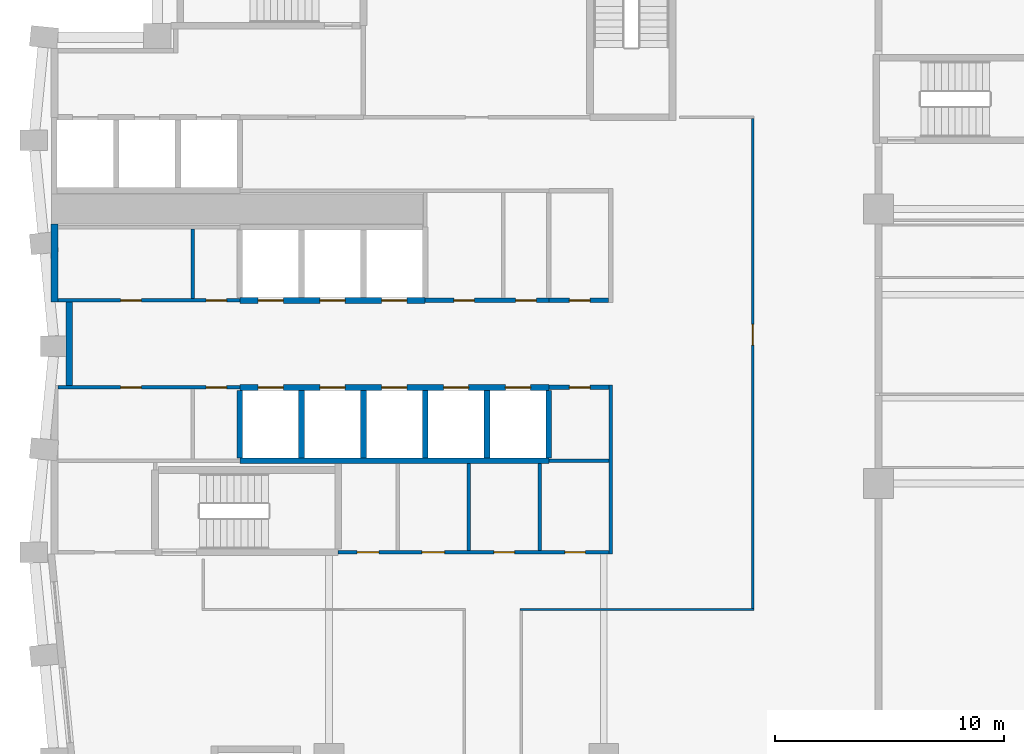
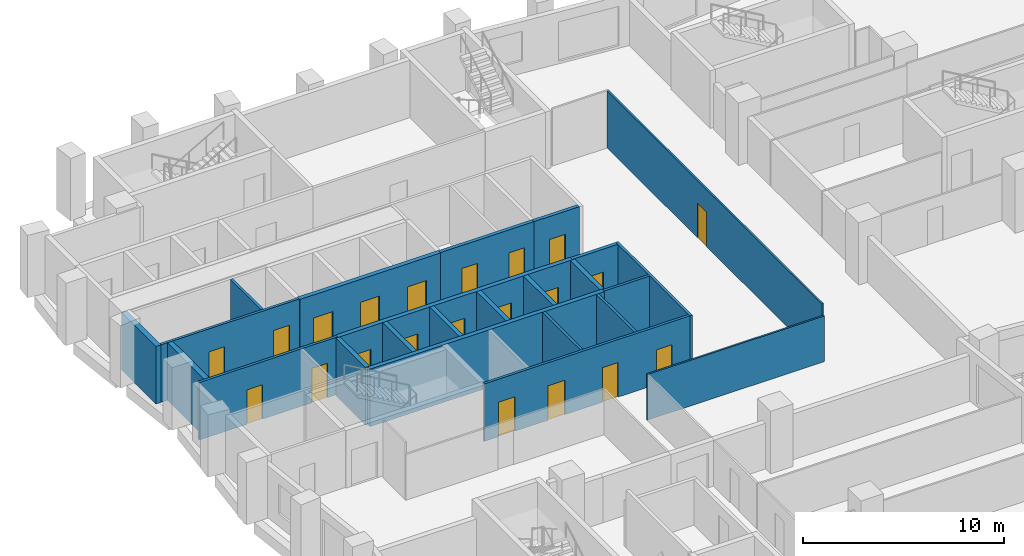
# One storey, part 5 of 11: 24 walls, 21 doors, 21 openings.
"""IFC4 building model written with IfcOpenShell, lengths in metres."""

from ifc_helpers import new_model, si_unit, direction, frame, frame_2d, origin, place, context, subcontext, project, spatial, rectangle, extrude, material, layer, layer_set, type_object, element, fill, save


model = new_model("IFC4")

# Units and contexts
model_context = context("Model", 3, precision=1e-05, world=origin(), true_north=direction((0.0, 1.0)))
body_context = subcontext(model_context, "Body", "Model", "MODEL_VIEW")
ifc_project = project(units=[si_unit("LENGTHUNIT", "METRE"), si_unit("AREAUNIT", "SQUARE_METRE"), si_unit("VOLUMEUNIT", "CUBIC_METRE"), si_unit("PLANEANGLEUNIT", "RADIAN"), si_unit("MASSUNIT", "GRAM", prefix="KILO")], contexts=[model_context])

# Site, building, storey
site_placement = place(None, origin())
site = spatial("IfcSite", under=ifc_project, at=site_placement, CompositionType="ELEMENT")
building_placement = place(site_placement, origin())
building = spatial("IfcBuilding", under=site, at=building_placement, Name="Brondeck Convention Tower", CompositionType="ELEMENT")
storey_placement = place(building_placement, frame((0.0, 0.0, 107.5)))
storey = spatial("IfcBuildingStorey", under=building, at=storey_placement, Name="L25", CompositionType="ELEMENT", Elevation=107.5)

# Wall, openings, doors
ifc_material_1 = material(Name="Concrete C70/85", Category="concrete")
ifc_layer_1 = layer(ifc_material_1, 0.14990234375)
ifc_layer_set_1 = layer_set([ifc_layer_1], Name="Core beam-seat wall 150 Concrete C70/85")
wall_type_1 = type_object("IfcWallType", Name="Core beam-seat wall 150 Concrete C70/85", PredefinedType="SHEAR", material=ifc_layer_set_1)
wall_1_placement = place(storey_placement, frame((12.39990234375, 36.0, 0.0), z_axis=(0.0, 0.0, 1.0), x_axis=(1.0, 0.0, 0.0)))
wall_1 = element("IfcWall", 1, at=wall_1_placement, inside=storey, type_object=wall_type_1, Name="L25 core wall", PredefinedType="SHEAR", context=body_context, shape_type="SweptSolid", body=[
    extrude(rectangle(XDim=11.8251953125, YDim=0.14990234375, at=frame_2d((5.91259765625, 0.0))), origin(), (0.0, 0.0, 1.0), 3.5),
])
opening_1_placement = place(wall_1_placement, frame((0.824951171875, 0.0, 0.0)))
opening_1 = element("IfcOpeningElement", 2, at=opening_1_placement, cuts=wall_1, Name="Opening C15-03", PredefinedType="OPENING", context=body_context, shape_type="SweptSolid", body=[
    extrude(rectangle(XDim=0.949951171875, YDim=2.10009765625, at=frame_2d((0.47509765625, 1.050048828125))), frame((0.0, 0.0849609375, 0.0), z_axis=(0.0, -1.0, 0.0), x_axis=(1.0, 0.0, 0.0)), (0.0, 0.0, 1.0), 0.169921875),
])
opening_2_placement = place(wall_1_placement, frame((3.64990234375, 0.0, 0.0)))
opening_2 = element("IfcOpeningElement", 3, at=opening_2_placement, cuts=wall_1, Name="Opening C15-04", PredefinedType="OPENING", context=body_context, shape_type="SweptSolid", body=[
    extrude(rectangle(XDim=1.0, YDim=2.10009765625, at=frame_2d((0.5, 1.050048828125))), frame((0.0, 0.0849609375, 0.0), z_axis=(0.0, -1.0, 0.0), x_axis=(1.0, 0.0, 0.0)), (0.0, 0.0, 1.0), 0.169921875),
])
opening_3_placement = place(wall_1_placement, frame((6.800048828125, 0.0, 0.0)))
opening_3 = element("IfcOpeningElement", 4, at=opening_3_placement, cuts=wall_1, Name="Opening C15-05", PredefinedType="OPENING", context=body_context, shape_type="SweptSolid", body=[
    extrude(rectangle(XDim=0.89990234375, YDim=2.10009765625, at=frame_2d((0.449951171875, 1.050048828125))), frame((0.0, 0.0849609375, 0.0), z_axis=(0.0, -1.0, 0.0), x_axis=(1.0, 0.0, 0.0)), (0.0, 0.0, 1.0), 0.169921875),
])
opening_4_placement = place(wall_1_placement, frame((9.89990234375, 0.0, 0.0)))
opening_4 = element("IfcOpeningElement", 5, at=opening_4_placement, cuts=wall_1, Name="Opening C15-06", PredefinedType="OPENING", context=body_context, shape_type="SweptSolid", body=[
    extrude(rectangle(XDim=0.89990234375, YDim=2.10009765625, at=frame_2d((0.449951171875, 1.050048828125))), frame((0.0, 0.0849609375, 0.0), z_axis=(0.0, -1.0, 0.0), x_axis=(1.0, 0.0, 0.0)), (0.0, 0.0, 1.0), 0.169921875),
])
ifc_material_2 = material(Name="Steel fire door", Category="steel")
door_type_1 = type_object("IfcDoorType", Name="Room door 1000x2100 EI 60", OperationType="NOTDEFINED", PredefinedType="DOOR", material=ifc_material_2)
door_1_placement = place(opening_2_placement, origin())
door_1 = element("IfcDoor", 6, at=door_1_placement, inside=storey, type_object=door_type_1, Name="L25 Room door FR-2", OperationType="SINGLE_SWING_LEFT", OverallHeight=2.10009765625, OverallWidth=1.0, PredefinedType="DOOR", context=body_context, shape_type="SweptSolid", body=[
    extrude(rectangle(XDim=1.0, YDim=2.10009765625, at=frame_2d((0.5, 1.050048828125))), frame((0.0, 0.02490234375, 0.0), z_axis=(0.0, -1.0, 0.0), x_axis=(1.0, 0.0, 0.0)), (0.0, 0.0, 1.0), 0.050048828125),
])
fill(opening_2, door_1)
door_type_2 = type_object("IfcDoorType", Name="Room door 900x2100 EI 60", OperationType="NOTDEFINED", PredefinedType="DOOR", material=ifc_material_2)
door_2_placement = place(opening_3_placement, origin())
door_2 = element("IfcDoor", 7, at=door_2_placement, inside=storey, type_object=door_type_2, Name="L25 Room door FR-3", OperationType="SINGLE_SWING_RIGHT", OverallHeight=2.10009765625, OverallWidth=0.89990234375, PredefinedType="DOOR", context=body_context, shape_type="SweptSolid", body=[
    extrude(rectangle(XDim=0.89990234375, YDim=2.10009765625, at=frame_2d((0.449951171875, 1.050048828125))), frame((0.0, 0.02490234375, 0.0), z_axis=(0.0, -1.0, 0.0), x_axis=(1.0, 0.0, 0.0)), (0.0, 0.0, 1.0), 0.050048828125),
])
fill(opening_3, door_2)
door_3_placement = place(opening_4_placement, origin())
door_3 = element("IfcDoor", 8, at=door_3_placement, inside=storey, type_object=door_type_2, Name="L25 Room door FR-4", OperationType="SINGLE_SWING_LEFT", OverallHeight=2.10009765625, OverallWidth=0.89990234375, PredefinedType="DOOR", context=body_context, shape_type="SweptSolid", body=[
    extrude(rectangle(XDim=0.89990234375, YDim=2.10009765625, at=frame_2d((0.449951171875, 1.050048828125))), frame((0.0, 0.02490234375, 0.0), z_axis=(0.0, -1.0, 0.0), x_axis=(1.0, 0.0, 0.0)), (0.0, 0.0, 1.0), 0.050048828125),
])
fill(opening_4, door_3)
door_type_3 = type_object("IfcDoorType", Name="Room door 950x2100 EI 60", OperationType="NOTDEFINED", PredefinedType="DOOR", material=ifc_material_2)
door_4_placement = place(opening_1_placement, origin())
door_4 = element("IfcDoor", 9, at=door_4_placement, inside=storey, type_object=door_type_3, Name="L25 Room door FR-1", OperationType="SINGLE_SWING_RIGHT", OverallHeight=2.10009765625, OverallWidth=0.949951171875, PredefinedType="DOOR", context=body_context, shape_type="SweptSolid", body=[
    extrude(rectangle(XDim=0.949951171875, YDim=2.10009765625, at=frame_2d((0.47509765625, 1.050048828125))), frame((0.0, 0.02490234375, 0.0), z_axis=(0.0, -1.0, 0.0), x_axis=(1.0, 0.0, 0.0)), (0.0, 0.0, 1.0), 0.050048828125),
])
fill(opening_1, door_4)

# Walls
ifc_layer_2 = layer(ifc_material_1, 0.300048828125)
ifc_layer_set_2 = layer_set([ifc_layer_2], Name="Core outer wall 300 Concrete C70/85")
wall_type_2 = type_object("IfcWallType", Name="Core outer wall 300 Concrete C70/85", PredefinedType="SHEAR", material=ifc_layer_set_2)
wall_2_placement = place(storey_placement, frame((0.0, 46.925048828125, 0.0), z_axis=(0.0, 0.0, 1.0), x_axis=(0.0, 1.0, 0.0)))
element("IfcWall", 10, at=wall_2_placement, inside=storey, type_object=wall_type_2, Name="L25 core wall", PredefinedType="SHEAR", context=body_context, shape_type="SweptSolid", body=[
    extrude(rectangle(XDim=3.425048828125, YDim=0.300048828125, at=frame_2d((1.71240234375, 0.0))), origin(), (0.0, 0.0, 1.0), 3.5),
])
wall_3_placement = place(storey_placement, frame((0.64990234375, 43.27490234375, 0.0), z_axis=(0.0, 0.0, 1.0), x_axis=(0.0, 1.0, 0.0)))
element("IfcWall", 11, at=wall_3_placement, inside=storey, type_object=wall_type_2, Name="L25 core wall", PredefinedType="SHEAR", context=body_context, shape_type="SweptSolid", body=[
    extrude(rectangle(XDim=3.650146484375, YDim=0.300048828125, at=frame_2d((1.8251953125, 0.0))), origin(), (0.0, 0.0, 1.0), 3.5),
])
ifc_material_3 = material(Name="Fire-rated gypsum board partition")
ifc_layer_3 = layer(ifc_material_3, 0.14990234375)
ifc_layer_set_3 = layer_set([ifc_layer_3], Name="Core partition 150 EI 60")
wall_type_3 = type_object("IfcWallType", Name="Core partition 150 EI 60", PredefinedType="PARTITIONING", material=ifc_layer_set_3)
wall_4_placement = place(storey_placement, frame((21.60009765625, 40.0, 0.0), z_axis=(0.0, 0.0, 1.0), x_axis=(1.0, 0.0, 0.0)))
element("IfcWall", 12, at=wall_4_placement, inside=storey, type_object=wall_type_3, Name="L25 core wall", PredefinedType="PARTITIONING", context=body_context, shape_type="SweptSolid", body=[
    extrude(rectangle(XDim=2.625, YDim=0.14990234375, at=frame_2d((1.3125, 0.0))), origin(), (0.0, 0.0, 1.0), 3.5),
])

# Wall, openings, doors
wall_5_placement = place(storey_placement, frame((0.14990234375, 43.199951171875, 0.0), z_axis=(0.0, 0.0, 1.0), x_axis=(1.0, 0.0, 0.0)))
wall_5 = element("IfcWall", 13, at=wall_5_placement, inside=storey, type_object=wall_type_3, Name="L25 core wall", PredefinedType="PARTITIONING", context=body_context, shape_type="SweptSolid", body=[
    extrude(rectangle(XDim=7.9501953125, YDim=0.14990234375, at=frame_2d((3.97509765625, 0.0))), origin(), (0.0, 0.0, 1.0), 3.5),
])
opening_5_placement = place(wall_5_placement, frame((2.75, 0.0, 0.0)))
opening_5 = element("IfcOpeningElement", 14, at=opening_5_placement, cuts=wall_5, Name="Opening C15-12", PredefinedType="OPENING", context=body_context, shape_type="SweptSolid", body=[
    extrude(rectangle(XDim=0.89990234375, YDim=2.10009765625, at=frame_2d((0.449951171875, 1.050048828125))), frame((0.0, 0.0849609375, 0.0), z_axis=(0.0, -1.0, 0.0), x_axis=(1.0, 0.0, 0.0)), (0.0, 0.0, 1.0), 0.169921875),
])
opening_6_placement = place(wall_5_placement, frame((6.47509765625, 0.0, 0.0)))
opening_6 = element("IfcOpeningElement", 15, at=opening_6_placement, cuts=wall_5, Name="Opening C15-13", PredefinedType="OPENING", context=body_context, shape_type="SweptSolid", body=[
    extrude(rectangle(XDim=0.89990234375, YDim=2.10009765625, at=frame_2d((0.449951171875, 1.050048828125))), frame((0.0, 0.0849609375, 0.0), z_axis=(0.0, -1.0, 0.0), x_axis=(1.0, 0.0, 0.0)), (0.0, 0.0, 1.0), 0.169921875),
])
door_5_placement = place(opening_5_placement, origin())
door_5 = element("IfcDoor", 16, at=door_5_placement, inside=storey, type_object=door_type_2, Name="L25 Room door FZ-S-0-1", OperationType="SINGLE_SWING_LEFT", OverallHeight=2.10009765625, OverallWidth=0.89990234375, PredefinedType="DOOR", context=body_context, shape_type="SweptSolid", body=[
    extrude(rectangle(XDim=0.89990234375, YDim=2.10009765625, at=frame_2d((0.449951171875, 1.050048828125))), frame((0.0, 0.02490234375, 0.0), z_axis=(0.0, -1.0, 0.0), x_axis=(1.0, 0.0, 0.0)), (0.0, 0.0, 1.0), 0.050048828125),
])
fill(opening_5, door_5)
door_6_placement = place(opening_6_placement, origin())
door_6 = element("IfcDoor", 17, at=door_6_placement, inside=storey, type_object=door_type_2, Name="L25 Room door FZ-S-0-2", OperationType="SINGLE_SWING_RIGHT", OverallHeight=2.10009765625, OverallWidth=0.89990234375, PredefinedType="DOOR", context=body_context, shape_type="SweptSolid", body=[
    extrude(rectangle(XDim=0.89990234375, YDim=2.10009765625, at=frame_2d((0.449951171875, 1.050048828125))), frame((0.0, 0.02490234375, 0.0), z_axis=(0.0, -1.0, 0.0), x_axis=(1.0, 0.0, 0.0)), (0.0, 0.0, 1.0), 0.050048828125),
])
fill(opening_6, door_6)

wall_6_placement = place(storey_placement, frame((0.14990234375, 47.0, 0.0), z_axis=(0.0, 0.0, 1.0), x_axis=(1.0, 0.0, 0.0)))
wall_6 = element("IfcWall", 18, at=wall_6_placement, inside=storey, type_object=wall_type_3, Name="L25 core wall", PredefinedType="PARTITIONING", context=body_context, shape_type="SweptSolid", body=[
    extrude(rectangle(XDim=7.9501953125, YDim=0.14990234375, at=frame_2d((3.97509765625, 0.0))), origin(), (0.0, 0.0, 1.0), 3.5),
])
opening_7_placement = place(wall_6_placement, frame((2.75, 0.0, 0.0)))
opening_7 = element("IfcOpeningElement", 19, at=opening_7_placement, cuts=wall_6, Name="Opening C15-08", PredefinedType="OPENING", context=body_context, shape_type="SweptSolid", body=[
    extrude(rectangle(XDim=0.89990234375, YDim=2.10009765625, at=frame_2d((0.449951171875, 1.050048828125))), frame((0.0, 0.0849609375, 0.0), z_axis=(0.0, -1.0, 0.0), x_axis=(1.0, 0.0, 0.0)), (0.0, 0.0, 1.0), 0.169921875),
])
opening_8_placement = place(wall_6_placement, frame((6.47509765625, 0.0, 0.0)))
opening_8 = element("IfcOpeningElement", 20, at=opening_8_placement, cuts=wall_6, Name="Opening C15-09", PredefinedType="OPENING", context=body_context, shape_type="SweptSolid", body=[
    extrude(rectangle(XDim=0.89990234375, YDim=2.10009765625, at=frame_2d((0.449951171875, 1.050048828125))), frame((0.0, 0.0849609375, 0.0), z_axis=(0.0, -1.0, 0.0), x_axis=(1.0, 0.0, 0.0)), (0.0, 0.0, 1.0), 0.169921875),
])
door_7_placement = place(opening_7_placement, origin())
door_7 = element("IfcDoor", 21, at=door_7_placement, inside=storey, type_object=door_type_2, Name="L25 Room door FZ-N-0-1", OperationType="SINGLE_SWING_RIGHT", OverallHeight=2.10009765625, OverallWidth=0.89990234375, PredefinedType="DOOR", context=body_context, shape_type="SweptSolid", body=[
    extrude(rectangle(XDim=0.89990234375, YDim=2.10009765625, at=frame_2d((0.449951171875, 1.050048828125))), frame((0.0, 0.02490234375, 0.0), z_axis=(0.0, -1.0, 0.0), x_axis=(1.0, 0.0, 0.0)), (0.0, 0.0, 1.0), 0.050048828125),
])
fill(opening_7, door_7)
door_8_placement = place(opening_8_placement, origin())
door_8 = element("IfcDoor", 22, at=door_8_placement, inside=storey, type_object=door_type_2, Name="L25 Room door FZ-N-0-2", OperationType="SINGLE_SWING_LEFT", OverallHeight=2.10009765625, OverallWidth=0.89990234375, PredefinedType="DOOR", context=body_context, shape_type="SweptSolid", body=[
    extrude(rectangle(XDim=0.89990234375, YDim=2.10009765625, at=frame_2d((0.449951171875, 1.050048828125))), frame((0.0, 0.02490234375, 0.0), z_axis=(0.0, -1.0, 0.0), x_axis=(1.0, 0.0, 0.0)), (0.0, 0.0, 1.0), 0.050048828125),
])
fill(opening_8, door_8)

# Walls
wall_7_placement = place(storey_placement, frame((6.050048828125, 47.074951171875, 0.0), z_axis=(0.0, 0.0, 1.0), x_axis=(0.0, 1.0, 0.0)))
element("IfcWall", 23, at=wall_7_placement, inside=storey, type_object=wall_type_3, Name="L25 core wall", PredefinedType="PARTITIONING", context=body_context, shape_type="SweptSolid", body=[
    extrude(rectangle(XDim=3.050048828125, YDim=0.14990234375, at=frame_2d((1.52490234375, 0.0))), origin(), (0.0, 0.0, 1.0), 3.5),
])
for number, where, z_axis, x_axis, name in (
    (24, (18.10009765625, 36.074951171875, 0.0), (0.0, 0.0, 1.0), (0.0, 1.0, 0.0), "L25 core wall"),
    (25, (21.199951171875, 36.074951171875, 0.0), (0.0, 0.0, 1.0), (0.0, 1.0, 0.0), "L25 core wall"),
):
    element("IfcWall", number, at=place(storey_placement, frame(where, z_axis=z_axis, x_axis=x_axis)), inside=storey, type_object=wall_type_3, Name=name, PredefinedType="PARTITIONING", context=body_context, shape_type="SweptSolid", body=[
        extrude(rectangle(XDim=3.800048828125, YDim=0.14990234375, at=frame_2d((1.89990234375, 0.0))), origin(), (0.0, 0.0, 1.0), 3.5),
    ])
wall_8_placement = place(storey_placement, frame((24.300048828125, 35.925048828125, 0.0), z_axis=(0.0, 0.0, 1.0), x_axis=(0.0, 1.0, 0.0)))
element("IfcWall", 26, at=wall_8_placement, inside=storey, type_object=wall_type_3, Name="L25 core wall", PredefinedType="PARTITIONING", context=body_context, shape_type="SweptSolid", body=[
    extrude(rectangle(XDim=7.375, YDim=0.14990234375, at=frame_2d((3.6875, 0.0))), origin(), (0.0, 0.0, 1.0), 3.5),
])

# Wall, opening, door
ifc_layer_4 = layer(ifc_material_3, 0.199951171875)
ifc_layer_set_4 = layer_set([ifc_layer_4], Name="Lift lobby wall 200 EI 60")
wall_type_4 = type_object("IfcWallType", Name="Lift lobby wall 200 EI 60", PredefinedType="PARTITIONING", material=ifc_layer_set_4)
wall_9_placement = place(storey_placement, frame((21.60009765625, 43.199951171875, 0.0), z_axis=(0.0, 0.0, 1.0), x_axis=(1.0, 0.0, 0.0)))
wall_9 = element("IfcWall", 27, at=wall_9_placement, inside=storey, type_object=wall_type_4, Name="L25 core wall", PredefinedType="PARTITIONING", context=body_context, shape_type="SweptSolid", body=[
    extrude(rectangle(XDim=2.625, YDim=0.199951171875, at=frame_2d((1.3125, 0.0))), origin(), (0.0, 0.0, 1.0), 3.5),
])
opening_9_placement = place(wall_9_placement, frame((0.89990234375, 0.0, 0.0)))
opening_9 = element("IfcOpeningElement", 28, at=opening_9_placement, cuts=wall_9, Name="Opening C15-14", PredefinedType="OPENING", context=body_context, shape_type="SweptSolid", body=[
    extrude(rectangle(XDim=0.89990234375, YDim=2.10009765625, at=frame_2d((0.449951171875, 1.050048828125))), frame((0.0, 0.10986328125, 0.0), z_axis=(0.0, -1.0, 0.0), x_axis=(1.0, 0.0, 0.0)), (0.0, 0.0, 1.0), 0.219970703125),
])
door_9_placement = place(opening_9_placement, origin())
door_9 = element("IfcDoor", 29, at=door_9_placement, inside=storey, type_object=door_type_2, Name="L25 Room door FZ-S-21.6-1", OperationType="SINGLE_SWING_RIGHT", OverallHeight=2.10009765625, OverallWidth=0.89990234375, PredefinedType="DOOR", context=body_context, shape_type="SweptSolid", body=[
    extrude(rectangle(XDim=0.89990234375, YDim=2.10009765625, at=frame_2d((0.449951171875, 1.050048828125))), frame((0.0, 0.02490234375, 0.0), z_axis=(0.0, -1.0, 0.0), x_axis=(1.0, 0.0, 0.0)), (0.0, 0.0, 1.0), 0.050048828125),
])
fill(opening_9, door_9)

# Wall, openings, doors
wall_10_placement = place(storey_placement, frame((16.199951171875, 47.0, 0.0), z_axis=(0.0, 0.0, 1.0), x_axis=(1.0, 0.0, 0.0)))
wall_10 = element("IfcWall", 30, at=wall_10_placement, inside=storey, type_object=wall_type_4, Name="L25 core wall", PredefinedType="PARTITIONING", context=body_context, shape_type="SweptSolid", body=[
    extrude(rectangle(XDim=5.400146484375, YDim=0.199951171875, at=frame_2d((2.7001953125, 0.0))), origin(), (0.0, 0.0, 1.0), 3.5),
])
opening_10_placement = place(wall_10_placement, frame((1.25, 0.0, 0.0)))
opening_10 = element("IfcOpeningElement", 31, at=opening_10_placement, cuts=wall_10, Name="Opening C15-10", PredefinedType="OPENING", context=body_context, shape_type="SweptSolid", body=[
    extrude(rectangle(XDim=0.89990234375, YDim=2.10009765625, at=frame_2d((0.449951171875, 1.050048828125))), frame((0.0, 0.10986328125, 0.0), z_axis=(0.0, -1.0, 0.0), x_axis=(1.0, 0.0, 0.0)), (0.0, 0.0, 1.0), 0.219970703125),
])
opening_11_placement = place(wall_10_placement, frame((3.949951171875, 0.0, 0.0)))
opening_11 = element("IfcOpeningElement", 32, at=opening_11_placement, cuts=wall_10, Name="Opening C15-11", PredefinedType="OPENING", context=body_context, shape_type="SweptSolid", body=[
    extrude(rectangle(XDim=0.89990234375, YDim=2.10009765625, at=frame_2d((0.449951171875, 1.050048828125))), frame((0.0, 0.10986328125, 0.0), z_axis=(0.0, -1.0, 0.0), x_axis=(1.0, 0.0, 0.0)), (0.0, 0.0, 1.0), 0.219970703125),
])
door_10_placement = place(opening_10_placement, origin())
door_10 = element("IfcDoor", 33, at=door_10_placement, inside=storey, type_object=door_type_2, Name="L25 Room door FZ-N-16.2-1", OperationType="SINGLE_SWING_LEFT", OverallHeight=2.10009765625, OverallWidth=0.89990234375, PredefinedType="DOOR", context=body_context, shape_type="SweptSolid", body=[
    extrude(rectangle(XDim=0.89990234375, YDim=2.10009765625, at=frame_2d((0.449951171875, 1.050048828125))), frame((0.0, 0.02490234375, 0.0), z_axis=(0.0, -1.0, 0.0), x_axis=(1.0, 0.0, 0.0)), (0.0, 0.0, 1.0), 0.050048828125),
])
fill(opening_10, door_10)
door_11_placement = place(opening_11_placement, origin())
door_11 = element("IfcDoor", 34, at=door_11_placement, inside=storey, type_object=door_type_2, Name="L25 Room door FZ-N-16.2-2", OperationType="SINGLE_SWING_RIGHT", OverallHeight=2.10009765625, OverallWidth=0.89990234375, PredefinedType="DOOR", context=body_context, shape_type="SweptSolid", body=[
    extrude(rectangle(XDim=0.89990234375, YDim=2.10009765625, at=frame_2d((0.449951171875, 1.050048828125))), frame((0.0, 0.02490234375, 0.0), z_axis=(0.0, -1.0, 0.0), x_axis=(1.0, 0.0, 0.0)), (0.0, 0.0, 1.0), 0.050048828125),
])
fill(opening_11, door_11)

# Wall
ifc_layer_5 = layer(ifc_material_1, 0.25)
ifc_layer_set_5 = layer_set([ifc_layer_5], Name="Lift shaft wall 250 Concrete C70/85")
wall_type_5 = type_object("IfcWallType", Name="Lift shaft wall 250 Concrete C70/85", PredefinedType="SHEAR", material=ifc_layer_set_5)
wall_11_placement = place(storey_placement, frame((8.10009765625, 40.0, 0.0), z_axis=(0.0, 0.0, 1.0), x_axis=(1.0, 0.0, 0.0)))
element("IfcWall", 35, at=wall_11_placement, inside=storey, type_object=wall_type_5, Name="L25 core wall", PredefinedType="SHEAR", context=body_context, shape_type="SweptSolid", body=[
    extrude(rectangle(XDim=13.5, YDim=0.25, at=frame_2d((6.75, 0.0))), origin(), (0.0, 0.0, 1.0), 3.5),
])

# Wall, openings, doors
wall_12_placement = place(storey_placement, frame((8.10009765625, 43.199951171875, 0.0), z_axis=(0.0, 0.0, 1.0), x_axis=(1.0, 0.0, 0.0)))
wall_12 = element("IfcWall", 36, at=wall_12_placement, inside=storey, type_object=wall_type_5, Name="L25 core wall", PredefinedType="SHEAR", context=body_context, shape_type="SweptSolid", body=[
    extrude(rectangle(XDim=13.5, YDim=0.25, at=frame_2d((6.75, 0.0))), origin(), (0.0, 0.0, 1.0), 3.5),
])
opening_12_placement = place(wall_12_placement, frame((0.800048828125, 0.0, 0.0)))
opening_12 = element("IfcOpeningElement", 37, at=opening_12_placement, cuts=wall_12, Name="Opening C15-26", PredefinedType="OPENING", context=body_context, shape_type="SweptSolid", body=[
    extrude(rectangle(XDim=1.10009765625, YDim=2.10009765625, at=frame_2d((0.550048828125, 1.050048828125))), frame((0.0, 0.135009765625, 0.0), z_axis=(0.0, -1.0, 0.0), x_axis=(1.0, 0.0, 0.0)), (0.0, 0.0, 1.0), 0.27001953125),
])
opening_13_placement = place(wall_12_placement, frame((3.5, 0.0, 0.0)))
opening_13 = element("IfcOpeningElement", 38, at=opening_13_placement, cuts=wall_12, Name="Opening C15-27", PredefinedType="OPENING", context=body_context, shape_type="SweptSolid", body=[
    extrude(rectangle(XDim=1.10009765625, YDim=2.10009765625, at=frame_2d((0.550048828125, 1.050048828125))), frame((0.0, 0.135009765625, 0.0), z_axis=(0.0, -1.0, 0.0), x_axis=(1.0, 0.0, 0.0)), (0.0, 0.0, 1.0), 0.27001953125),
])
opening_14_placement = place(wall_12_placement, frame((6.199951171875, 0.0, 0.0)))
opening_14 = element("IfcOpeningElement", 39, at=opening_14_placement, cuts=wall_12, Name="Opening C15-28", PredefinedType="OPENING", context=body_context, shape_type="SweptSolid", body=[
    extrude(rectangle(XDim=1.10009765625, YDim=2.10009765625, at=frame_2d((0.550048828125, 1.050048828125))), frame((0.0, 0.135009765625, 0.0), z_axis=(0.0, -1.0, 0.0), x_axis=(1.0, 0.0, 0.0)), (0.0, 0.0, 1.0), 0.27001953125),
])
opening_15_placement = place(wall_12_placement, frame((8.89990234375, 0.0, 0.0)))
opening_15 = element("IfcOpeningElement", 40, at=opening_15_placement, cuts=wall_12, Name="Opening C15-32", PredefinedType="OPENING", context=body_context, shape_type="SweptSolid", body=[
    extrude(rectangle(XDim=1.10009765625, YDim=2.10009765625, at=frame_2d((0.550048828125, 1.050048828125))), frame((0.0, 0.135009765625, 0.0), z_axis=(0.0, -1.0, 0.0), x_axis=(1.0, 0.0, 0.0)), (0.0, 0.0, 1.0), 0.27001953125),
])
opening_16_placement = place(wall_12_placement, frame((11.60009765625, 0.0, 0.0)))
opening_16 = element("IfcOpeningElement", 41, at=opening_16_placement, cuts=wall_12, Name="Opening C15-33", PredefinedType="OPENING", context=body_context, shape_type="SweptSolid", body=[
    extrude(rectangle(XDim=1.10009765625, YDim=2.10009765625, at=frame_2d((0.550048828125, 1.050048828125))), frame((0.0, 0.135009765625, 0.0), z_axis=(0.0, -1.0, 0.0), x_axis=(1.0, 0.0, 0.0)), (0.0, 0.0, 1.0), 0.27001953125),
])
ifc_material_4 = material(Name="Stainless steel lift door", Category="steel")
door_type_4 = type_object("IfcDoorType", Name="Lift landing door 1100x2100 EI 180", OperationType="DOUBLE_DOOR_SLIDING", PredefinedType="DOOR", material=ifc_material_4)
door_12_placement = place(opening_12_placement, origin())
door_12 = element("IfcDoor", 42, at=door_12_placement, inside=storey, type_object=door_type_4, Name="L25 Lift landing door LR1", OperationType="DOUBLE_DOOR_SLIDING", OverallHeight=2.10009765625, OverallWidth=1.10009765625, PredefinedType="DOOR", context=body_context, shape_type="SweptSolid", body=[
    extrude(rectangle(XDim=1.10009765625, YDim=2.10009765625, at=frame_2d((0.550048828125, 1.050048828125))), frame((0.0, 0.02490234375, 0.0), z_axis=(0.0, -1.0, 0.0), x_axis=(1.0, 0.0, 0.0)), (0.0, 0.0, 1.0), 0.050048828125),
])
fill(opening_12, door_12)
door_13_placement = place(opening_13_placement, origin())
door_13 = element("IfcDoor", 43, at=door_13_placement, inside=storey, type_object=door_type_4, Name="L25 Lift landing door LR2", OperationType="DOUBLE_DOOR_SLIDING", OverallHeight=2.10009765625, OverallWidth=1.10009765625, PredefinedType="DOOR", context=body_context, shape_type="SweptSolid", body=[
    extrude(rectangle(XDim=1.10009765625, YDim=2.10009765625, at=frame_2d((0.550048828125, 1.050048828125))), frame((0.0, 0.02490234375, 0.0), z_axis=(0.0, -1.0, 0.0), x_axis=(1.0, 0.0, 0.0)), (0.0, 0.0, 1.0), 0.050048828125),
])
fill(opening_13, door_13)
door_14_placement = place(opening_14_placement, origin())
door_14 = element("IfcDoor", 44, at=door_14_placement, inside=storey, type_object=door_type_4, Name="L25 Lift landing door LR3", OperationType="DOUBLE_DOOR_SLIDING", OverallHeight=2.10009765625, OverallWidth=1.10009765625, PredefinedType="DOOR", context=body_context, shape_type="SweptSolid", body=[
    extrude(rectangle(XDim=1.10009765625, YDim=2.10009765625, at=frame_2d((0.550048828125, 1.050048828125))), frame((0.0, 0.02490234375, 0.0), z_axis=(0.0, -1.0, 0.0), x_axis=(1.0, 0.0, 0.0)), (0.0, 0.0, 1.0), 0.050048828125),
])
fill(opening_14, door_14)
door_15_placement = place(opening_15_placement, origin())
door_15 = element("IfcDoor", 45, at=door_15_placement, inside=storey, type_object=door_type_4, Name="L25 Lift landing door SH1", OperationType="DOUBLE_DOOR_SLIDING", OverallHeight=2.10009765625, OverallWidth=1.10009765625, PredefinedType="DOOR", context=body_context, shape_type="SweptSolid", body=[
    extrude(rectangle(XDim=1.10009765625, YDim=2.10009765625, at=frame_2d((0.550048828125, 1.050048828125))), frame((0.0, 0.02490234375, 0.0), z_axis=(0.0, -1.0, 0.0), x_axis=(1.0, 0.0, 0.0)), (0.0, 0.0, 1.0), 0.050048828125),
])
fill(opening_15, door_15)
door_16_placement = place(opening_16_placement, origin())
door_16 = element("IfcDoor", 46, at=door_16_placement, inside=storey, type_object=door_type_4, Name="L25 Lift landing door SH2", OperationType="DOUBLE_DOOR_SLIDING", OverallHeight=2.10009765625, OverallWidth=1.10009765625, PredefinedType="DOOR", context=body_context, shape_type="SweptSolid", body=[
    extrude(rectangle(XDim=1.10009765625, YDim=2.10009765625, at=frame_2d((0.550048828125, 1.050048828125))), frame((0.0, 0.02490234375, 0.0), z_axis=(0.0, -1.0, 0.0), x_axis=(1.0, 0.0, 0.0)), (0.0, 0.0, 1.0), 0.050048828125),
])
fill(opening_16, door_16)

wall_13_placement = place(storey_placement, frame((8.10009765625, 47.0, 0.0), z_axis=(0.0, 0.0, 1.0), x_axis=(1.0, 0.0, 0.0)))
wall_13 = element("IfcWall", 47, at=wall_13_placement, inside=storey, type_object=wall_type_5, Name="L25 core wall", PredefinedType="SHEAR", context=body_context, shape_type="SweptSolid", body=[
    extrude(rectangle(XDim=8.099853515625, YDim=0.25, at=frame_2d((4.0498046875, 0.0))), origin(), (0.0, 0.0, 1.0), 3.5),
])
opening_17_placement = place(wall_13_placement, frame((0.800048828125, 0.0, 0.0)))
opening_17 = element("IfcOpeningElement", 48, at=opening_17_placement, cuts=wall_13, Name="Opening C15-29", PredefinedType="OPENING", context=body_context, shape_type="SweptSolid", body=[
    extrude(rectangle(XDim=1.10009765625, YDim=2.10009765625, at=frame_2d((0.550048828125, 1.050048828125))), frame((0.0, 0.135009765625, 0.0), z_axis=(0.0, -1.0, 0.0), x_axis=(1.0, 0.0, 0.0)), (0.0, 0.0, 1.0), 0.27001953125),
])
opening_18_placement = place(wall_13_placement, frame((3.5, 0.0, 0.0)))
opening_18 = element("IfcOpeningElement", 49, at=opening_18_placement, cuts=wall_13, Name="Opening C15-30", PredefinedType="OPENING", context=body_context, shape_type="SweptSolid", body=[
    extrude(rectangle(XDim=1.10009765625, YDim=2.10009765625, at=frame_2d((0.550048828125, 1.050048828125))), frame((0.0, 0.135009765625, 0.0), z_axis=(0.0, -1.0, 0.0), x_axis=(1.0, 0.0, 0.0)), (0.0, 0.0, 1.0), 0.27001953125),
])
opening_19_placement = place(wall_13_placement, frame((6.199951171875, 0.0, 0.0)))
opening_19 = element("IfcOpeningElement", 50, at=opening_19_placement, cuts=wall_13, Name="Opening C15-31", PredefinedType="OPENING", context=body_context, shape_type="SweptSolid", body=[
    extrude(rectangle(XDim=1.10009765625, YDim=2.10009765625, at=frame_2d((0.550048828125, 1.050048828125))), frame((0.0, 0.135009765625, 0.0), z_axis=(0.0, -1.0, 0.0), x_axis=(1.0, 0.0, 0.0)), (0.0, 0.0, 1.0), 0.27001953125),
])
door_17_placement = place(opening_17_placement, origin())
door_17 = element("IfcDoor", 51, at=door_17_placement, inside=storey, type_object=door_type_4, Name="L25 Lift landing door LR4", OperationType="DOUBLE_DOOR_SLIDING", OverallHeight=2.10009765625, OverallWidth=1.10009765625, PredefinedType="DOOR", context=body_context, shape_type="SweptSolid", body=[
    extrude(rectangle(XDim=1.10009765625, YDim=2.10009765625, at=frame_2d((0.550048828125, 1.050048828125))), frame((0.0, 0.02490234375, 0.0), z_axis=(0.0, -1.0, 0.0), x_axis=(1.0, 0.0, 0.0)), (0.0, 0.0, 1.0), 0.050048828125),
])
fill(opening_17, door_17)
door_18_placement = place(opening_18_placement, origin())
door_18 = element("IfcDoor", 52, at=door_18_placement, inside=storey, type_object=door_type_4, Name="L25 Lift landing door LR5", OperationType="DOUBLE_DOOR_SLIDING", OverallHeight=2.10009765625, OverallWidth=1.10009765625, PredefinedType="DOOR", context=body_context, shape_type="SweptSolid", body=[
    extrude(rectangle(XDim=1.10009765625, YDim=2.10009765625, at=frame_2d((0.550048828125, 1.050048828125))), frame((0.0, 0.02490234375, 0.0), z_axis=(0.0, -1.0, 0.0), x_axis=(1.0, 0.0, 0.0)), (0.0, 0.0, 1.0), 0.050048828125),
])
fill(opening_18, door_18)
door_19_placement = place(opening_19_placement, origin())
door_19 = element("IfcDoor", 53, at=door_19_placement, inside=storey, type_object=door_type_4, Name="L25 Lift landing door LR6", OperationType="DOUBLE_DOOR_SLIDING", OverallHeight=2.10009765625, OverallWidth=1.10009765625, PredefinedType="DOOR", context=body_context, shape_type="SweptSolid", body=[
    extrude(rectangle(XDim=1.10009765625, YDim=2.10009765625, at=frame_2d((0.550048828125, 1.050048828125))), frame((0.0, 0.02490234375, 0.0), z_axis=(0.0, -1.0, 0.0), x_axis=(1.0, 0.0, 0.0)), (0.0, 0.0, 1.0), 0.050048828125),
])
fill(opening_19, door_19)

# Walls
for number, where, z_axis, x_axis, name in (
    (54, (8.10009765625, 40.125, 0.0), (0.0, 0.0, 1.0), (0.0, 1.0, 0.0), "L25 core wall"),
    (55, (10.800048828125, 40.125, 0.0), (0.0, 0.0, 1.0), (0.0, 1.0, 0.0), "L25 core wall"),
    (56, (13.5, 40.125, 0.0), (0.0, 0.0, 1.0), (0.0, 1.0, 0.0), "L25 core wall"),
    (57, (16.199951171875, 40.125, 0.0), (0.0, 0.0, 1.0), (0.0, 1.0, 0.0), "L25 core wall"),
    (58, (18.89990234375, 40.125, 0.0), (0.0, 0.0, 1.0), (0.0, 1.0, 0.0), "L25 core wall"),
    (59, (21.60009765625, 40.125, 0.0), (0.0, 0.0, 1.0), (0.0, 1.0, 0.0), "L25 core wall"),
):
    element("IfcWall", number, at=place(storey_placement, frame(where, z_axis=z_axis, x_axis=x_axis)), inside=storey, type_object=wall_type_5, Name=name, PredefinedType="SHEAR", context=body_context, shape_type="SweptSolid", body=[
        extrude(rectangle(XDim=2.949951171875, YDim=0.25, at=frame_2d((1.47509765625, 0.0))), origin(), (0.0, 0.0, 1.0), 3.5),
    ])

# Wall, opening, door
ifc_layer_6 = layer(ifc_material_3, 0.199951171875)
ifc_layer_set_6 = layer_set([ifc_layer_6], Name="Riser wall 200 EI 120")
wall_type_6 = type_object("IfcWallType", Name="Riser wall 200 EI 120", PredefinedType="PARTITIONING", material=ifc_layer_set_6)
wall_14_placement = place(storey_placement, frame((21.60009765625, 47.0, 0.0), z_axis=(0.0, 0.0, 1.0), x_axis=(1.0, 0.0, 0.0)))
wall_14 = element("IfcWall", 60, at=wall_14_placement, inside=storey, type_object=wall_type_6, Name="L25 core wall", PredefinedType="PARTITIONING", context=body_context, shape_type="SweptSolid", body=[
    extrude(rectangle(XDim=2.599853515625, YDim=0.199951171875, at=frame_2d((1.2998046875, 0.0))), origin(), (0.0, 0.0, 1.0), 3.5),
])
opening_20_placement = place(wall_14_placement, frame((0.89990234375, 0.0, 0.0)))
opening_20 = element("IfcOpeningElement", 61, at=opening_20_placement, cuts=wall_14, Name="Opening C15-02", PredefinedType="OPENING", context=body_context, shape_type="SweptSolid", body=[
    extrude(rectangle(XDim=0.89990234375, YDim=2.10009765625, at=frame_2d((0.449951171875, 1.050048828125))), frame((0.0, 0.10986328125, 0.0), z_axis=(0.0, -1.0, 0.0), x_axis=(1.0, 0.0, 0.0)), (0.0, 0.0, 1.0), 0.219970703125),
])
door_type_5 = type_object("IfcDoorType", Name="Riser door 900x2100 EI 120", OperationType="NOTDEFINED", PredefinedType="DOOR", material=ifc_material_2)
door_20_placement = place(opening_20_placement, origin())
door_20 = element("IfcDoor", 62, at=door_20_placement, inside=storey, type_object=door_type_5, Name="L25 Riser door EN-1", OperationType="SINGLE_SWING_LEFT", OverallHeight=2.10009765625, OverallWidth=0.89990234375, PredefinedType="DOOR", context=body_context, shape_type="SweptSolid", body=[
    extrude(rectangle(XDim=0.89990234375, YDim=2.10009765625, at=frame_2d((0.449951171875, 1.050048828125))), frame((0.0, 0.02490234375, 0.0), z_axis=(0.0, -1.0, 0.0), x_axis=(1.0, 0.0, 0.0)), (0.0, 0.0, 1.0), 0.050048828125),
])
fill(opening_20, door_20)

# Wall
ifc_material_5 = material(Name="Gypsum board partition on steel studs", Category="steel")
ifc_layer_7 = layer(ifc_material_5, 0.10009765625)
ifc_layer_set_7 = layer_set([ifc_layer_7], Name="Room partition 100")
wall_type_7 = type_object("IfcWallType", Name="Room partition 100", PredefinedType="PARTITIONING", material=ifc_layer_set_7)
wall_15_placement = place(storey_placement, frame((30.550048828125, 33.5, 0.0), z_axis=(0.0, 0.0, 1.0), x_axis=(-1.0, 0.0, 0.0)))
element("IfcWall", 63, at=wall_15_placement, inside=storey, type_object=wall_type_7, Name="FLR-L25-W030", PredefinedType="PARTITIONING", context=body_context, shape_type="SweptSolid", body=[
    extrude(rectangle(XDim=10.199951171875, YDim=0.10009765625, at=frame_2d((5.10009765625, 0.0))), origin(), (0.0, 0.0, 1.0), 2.780029296875),
])

# Wall, opening, door
wall_16_placement = place(storey_placement, frame((30.5, 54.949951171875, 0.0), z_axis=(0.0, 0.0, 1.0), x_axis=(0.0, -1.0, 0.0)))
wall_16 = element("IfcWall", 64, at=wall_16_placement, inside=storey, type_object=wall_type_7, Name="FLR-L25-W072", PredefinedType="PARTITIONING", context=body_context, shape_type="SweptSolid", body=[
    extrude(rectangle(XDim=21.39990234375, YDim=0.10009765625, at=frame_2d((10.699951171875, 0.0))), origin(), (0.0, 0.0, 1.0), 3.47998046875),
])
opening_21_placement = place(wall_16_placement, frame((9.0, 0.0, 0.0)))
opening_21 = element("IfcOpeningElement", 65, at=opening_21_placement, cuts=wall_16, Name="Opening OF-B-020", PredefinedType="OPENING", context=body_context, shape_type="SweptSolid", body=[
    extrude(rectangle(XDim=0.89990234375, YDim=2.10009765625, at=frame_2d((0.449951171875, 1.050048828125))), frame((0.0, 0.06005859375, 0.0), z_axis=(0.0, -1.0, 0.0), x_axis=(1.0, 0.0, 0.0)), (0.0, 0.0, 1.0), 0.1201171875),
])
ifc_material_6 = material(Name="Solid timber door leaf", Category="wood")
door_type_6 = type_object("IfcDoorType", Name="Single door 900", OperationType="NOTDEFINED", PredefinedType="DOOR", material=ifc_material_6)
door_21_placement = place(opening_21_placement, origin())
door_21 = element("IfcDoor", 66, at=door_21_placement, inside=storey, type_object=door_type_6, Name="Door OF-B-020", OperationType="SINGLE_SWING_LEFT", OverallHeight=2.10009765625, OverallWidth=0.89990234375, PredefinedType="DOOR", context=body_context, shape_type="SweptSolid", body=[
    extrude(rectangle(XDim=0.89990234375, YDim=2.10009765625, at=frame_2d((0.449951171875, 1.050048828125))), frame((0.0, 0.02490234375, 0.0), z_axis=(0.0, -1.0, 0.0), x_axis=(1.0, 0.0, 0.0)), (0.0, 0.0, 1.0), 0.050048828125),
])
fill(opening_21, door_21)

save(model, "model.ifc")
